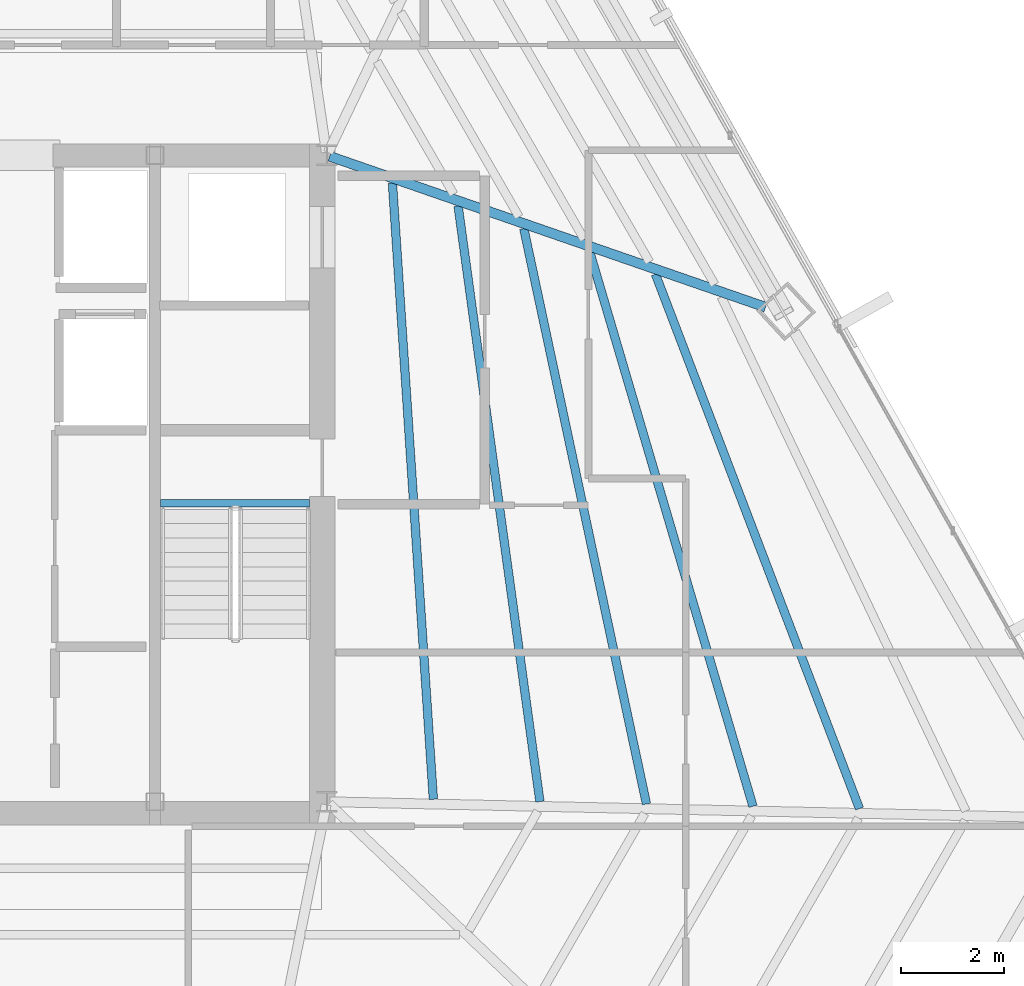
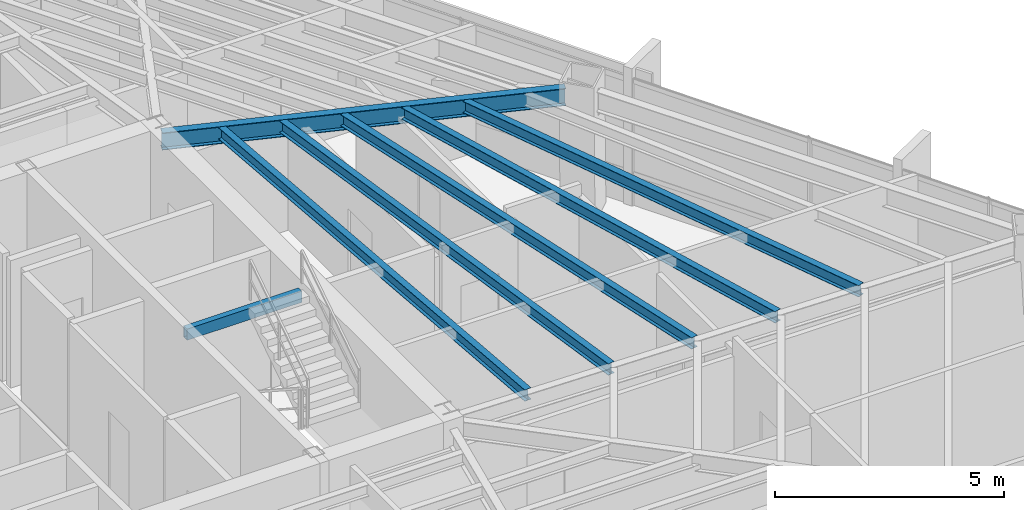
# One storey, part 23 of 42: 7 beams.
"""IFC4 building model written with IfcOpenShell, lengths in metres."""

from ifc_helpers import new_model, si_unit, direction, frame, origin, origin_2d, place, context, subcontext, project, spatial, hollow_rectangle, i_section, extrude, source, transform, mapped, material, material_profile, profile_set, type_object, type_shapes, element, save


model = new_model("IFC4")

# Units and contexts
model_context = context("Model", 3, precision=1e-05, world=origin(), true_north=direction((0.0, 1.0)))
body_context = subcontext(model_context, "Body", "Model", "MODEL_VIEW")
ifc_project = project(units=[si_unit("LENGTHUNIT", "METRE"), si_unit("AREAUNIT", "SQUARE_METRE"), si_unit("VOLUMEUNIT", "CUBIC_METRE"), si_unit("PLANEANGLEUNIT", "RADIAN"), si_unit("MASSUNIT", "GRAM", prefix="KILO")], contexts=[model_context])

# Site, building, storey
site_placement = place(None, origin())
site = spatial("IfcSite", under=ifc_project, at=site_placement, CompositionType="ELEMENT")
building_placement = place(site_placement, origin())
building = spatial("IfcBuilding", under=site, at=building_placement, Name="Caelisora Broadcast Tower", CompositionType="ELEMENT")
storey_placement = place(building_placement, frame((0.0, 0.0, 202.300048828125)))
storey = spatial("IfcBuildingStorey", under=building, at=storey_placement, Name="L53", CompositionType="ELEMENT", Elevation=202.300048828125)

# Beams
ifc_material_1 = material(Name="Steel Grade 350 (AS/NZS 1163 C350L0)", Category="steel")
ifc_material_profile_1 = material_profile(ifc_material_1, hollow_rectangle(XDim=0.14990234375, YDim=0.300048828125, WallThickness=0.010009765625, at=origin_2d()), Name="Steel Grade 350 (AS/NZS 1163 C350L0)")
ifc_profile_set_1 = profile_set([ifc_material_profile_1], Name="Steel Grade 350 (AS/NZS 1163 C350L0)")
beam_type_1 = type_object("IfcBeamType", Name="SB05", PredefinedType="JOIST", material=ifc_profile_set_1)
shared_shape_1 = source(origin(), body_context, "Body", "SweptSolid", [
    extrude(hollow_rectangle(XDim=0.14990234375, YDim=0.300048828125, WallThickness=0.010009765625, at=origin_2d()), origin(), (0.0, 0.0, 1.0), 2.89990234375),
])
type_shapes(beam_type_1, [shared_shape_1])
beam_1_placement = place(storey_placement, frame((42.260009765625, 23.219970703125, 3.25), z_axis=(1.0, 0.0, 0.0), x_axis=(0.0, 1.0, 0.0)))
element("IfcBeam", 1, at=beam_1_placement, inside=storey, type_object=beam_type_1, Name="L53 beam SB05", PredefinedType="JOIST", context=body_context, shape_type="MappedRepresentation", body=[
    mapped(shared_shape_1, transform((0.0, 0.0, 0.0), scale=1.0)),
])
ifc_material_2 = material(Name="Steel Grade 350 (AS/NZS 3679.1)", Category="steel")
ifc_material_profile_2 = material_profile(ifc_material_2, i_section(OverallWidth=0.19091796875, OverallDepth=0.46044921875, WebThickness=0.010009765625, FlangeThickness=0.01611328125, at=origin_2d()), Name="Steel Grade 350 (AS/NZS 3679.1)")
ifc_profile_set_2 = profile_set([ifc_material_profile_2], Name="Steel Grade 350 (AS/NZS 3679.1)")
beam_type_2 = type_object("IfcBeamType", Name="PG06", PredefinedType="BEAM", material=ifc_profile_set_2)
shared_shape_2 = source(origin(), body_context, "Body", "SweptSolid", [
    extrude(i_section(OverallWidth=0.19091796875, OverallDepth=0.46044921875, WebThickness=0.010009765625, FlangeThickness=0.01611328125, at=origin_2d()), origin(), (0.0, 0.0, 1.0), 8.989990234375),
])
type_shapes(beam_type_2, [shared_shape_2])
beam_2_placement = place(storey_placement, frame((45.556640625, 29.98046875, 3.169677734375), z_axis=(0.944970251877, -0.327156267045, 0.0), x_axis=(0.327156267045, 0.944970251877, 0.0)))
element("IfcBeam", 2, at=beam_2_placement, inside=storey, type_object=beam_type_2, Name="L53 beam PG06", PredefinedType="BEAM", context=body_context, shape_type="MappedRepresentation", body=[
    mapped(shared_shape_2, transform((0.0, 0.0, 0.0), scale=1.0)),
])
ifc_material_profile_3 = material_profile(ifc_material_2, i_section(OverallWidth=0.166015625, OverallDepth=0.30712890625, WebThickness=0.006591796875, FlangeThickness=0.01171875, at=origin_2d()), Name="Steel Grade 350 (AS/NZS 3679.1)")
ifc_profile_set_3 = profile_set([ifc_material_profile_3], Name="Steel Grade 350 (AS/NZS 3679.1)")
beam_type_3 = type_object("IfcBeamType", Name="SB03", PredefinedType="JOIST", material=ifc_profile_set_3)
shared_shape_3 = source(origin(), body_context, "Body", "SweptSolid", [
    extrude(i_section(OverallWidth=0.166015625, OverallDepth=0.30712890625, WebThickness=0.006591796875, FlangeThickness=0.01171875, at=origin_2d()), origin(), (0.0, 0.0, 1.0), 12.0380859375),
])
beam_3_placement = place(storey_placement, frame((47.577392578125, 17.447265625, 3.246337890625), z_axis=(-0.066296910627, 0.997799939688, 0.0), x_axis=(-0.997799939688, -0.066296910627, 0.0)))
element("IfcBeam", 3, at=beam_3_placement, inside=storey, type_object=beam_type_3, Name="L53 beam SB03", PredefinedType="JOIST", context=body_context, shape_type="MappedRepresentation", body=[
    mapped(shared_shape_3, transform((0.0, 0.0, 0.0), scale=1.0)),
])
shared_shape_4 = source(origin(), body_context, "Body", "SweptSolid", [
    extrude(i_section(OverallWidth=0.166015625, OverallDepth=0.30712890625, WebThickness=0.006591796875, FlangeThickness=0.01171875, at=origin_2d()), origin(), (0.0, 0.0, 1.0), 11.72314453125),
])
beam_4_placement = place(storey_placement, frame((49.654541015625, 17.40185546875, 3.246337890625), z_axis=(-0.136095448772, 0.990695729689, 0.0), x_axis=(-0.990695729689, -0.136095448772, 0.0)))
element("IfcBeam", 4, at=beam_4_placement, inside=storey, type_object=beam_type_3, Name="L53 beam SB03", PredefinedType="JOIST", context=body_context, shape_type="MappedRepresentation", body=[
    mapped(shared_shape_4, transform((0.0, 0.0, 0.0), scale=1.0)),
])
shared_shape_5 = source(origin(), body_context, "Body", "SweptSolid", [
    extrude(i_section(OverallWidth=0.166015625, OverallDepth=0.30712890625, WebThickness=0.006591796875, FlangeThickness=0.01171875, at=origin_2d()), origin(), (0.0, 0.0, 1.0), 11.4677734375),
])
beam_5_placement = place(storey_placement, frame((51.731201171875, 17.3564453125, 3.246337890625), z_axis=(-0.208505435596, 0.978021208015, 0.0), x_axis=(-0.978021208015, -0.208505435596, 0.0)))
element("IfcBeam", 5, at=beam_5_placement, inside=storey, type_object=beam_type_3, Name="L53 beam SB03", PredefinedType="JOIST", context=body_context, shape_type="MappedRepresentation", body=[
    mapped(shared_shape_5, transform((0.0, 0.0, 0.0), scale=1.0)),
])
shared_shape_6 = source(origin(), body_context, "Body", "SweptSolid", [
    extrude(i_section(OverallWidth=0.166015625, OverallDepth=0.30712890625, WebThickness=0.006591796875, FlangeThickness=0.01171875, at=origin_2d()), origin(), (0.0, 0.0, 1.0), 11.276123046875),
])
beam_6_placement = place(storey_placement, frame((53.80712890625, 17.311279296875, 3.246337890625), z_axis=(-0.282441780891, 0.959284441867, 0.0), x_axis=(-0.959284441867, -0.282441780891, 0.0)))
element("IfcBeam", 6, at=beam_6_placement, inside=storey, type_object=beam_type_3, Name="L53 beam SB03", PredefinedType="JOIST", context=body_context, shape_type="MappedRepresentation", body=[
    mapped(shared_shape_6, transform((0.0, 0.0, 0.0), scale=1.0)),
])
shared_shape_7 = source(origin(), body_context, "Body", "SweptSolid", [
    extrude(i_section(OverallWidth=0.166015625, OverallDepth=0.30712890625, WebThickness=0.006591796875, FlangeThickness=0.01171875, at=origin_2d()), origin(), (0.0, 0.0, 1.0), 11.15087890625),
])
type_shapes(beam_type_3, [shared_shape_3, shared_shape_4, shared_shape_5, shared_shape_6, shared_shape_7])
beam_7_placement = place(storey_placement, frame((55.882568359375, 17.26611328125, 3.246337890625), z_axis=(-0.356633469269, 0.934244383766, 0.0), x_axis=(-0.934244383766, -0.356633469269, 0.0)))
element("IfcBeam", 7, at=beam_7_placement, inside=storey, type_object=beam_type_3, Name="L53 beam SB03", PredefinedType="JOIST", context=body_context, shape_type="MappedRepresentation", body=[
    mapped(shared_shape_7, transform((0.0, 0.0, 0.0), scale=1.0)),
])

save(model, "model.ifc")
